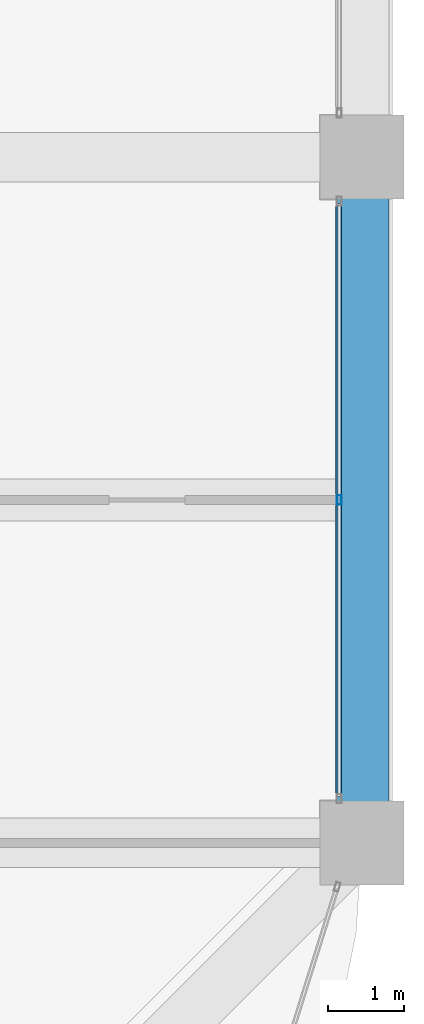
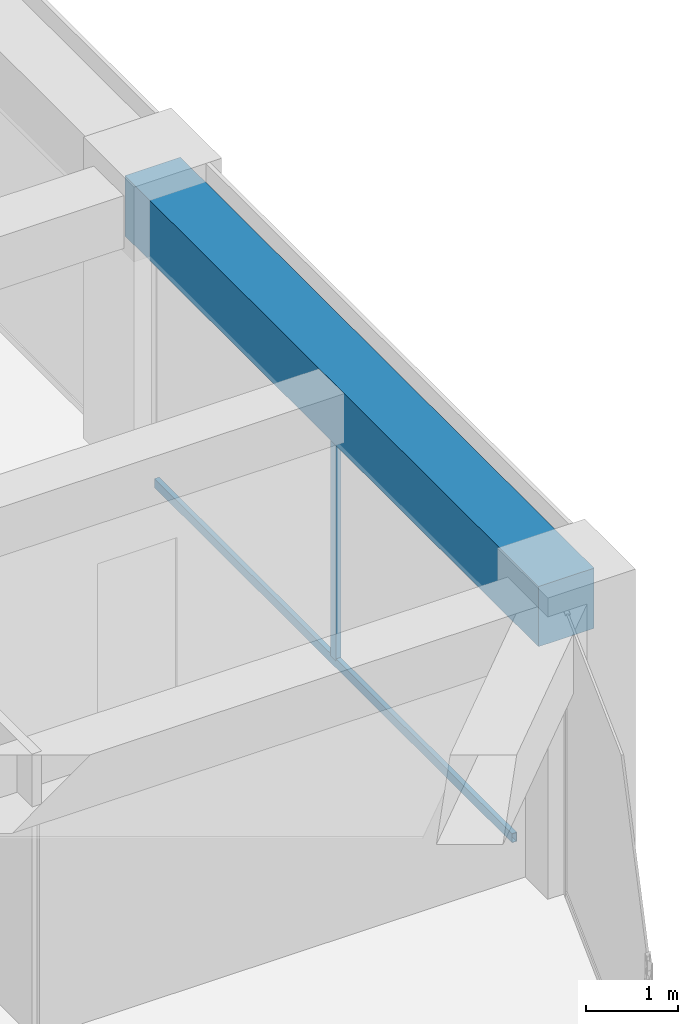
# One storey, part 23 of 45: 2 members, 1 beam, 1 element without a shape of its own.
"""IFC4 building model written with IfcOpenShell, lengths in metres."""

from ifc_helpers import new_model, si_unit, direction, frame, origin, origin_2d, place, context, subcontext, project, spatial, rectangle, hollow_rectangle, extrude, material, material_profile, profile_set, type_object, element, aggregate, save


model = new_model("IFC4")

# Units and contexts
model_context = context("Model", 3, precision=1e-05, world=origin(), true_north=direction((0.0, 1.0)))
body_context = subcontext(model_context, "Body", "Model", "MODEL_VIEW")
ifc_project = project(units=[si_unit("LENGTHUNIT", "METRE"), si_unit("AREAUNIT", "SQUARE_METRE"), si_unit("VOLUMEUNIT", "CUBIC_METRE"), si_unit("PLANEANGLEUNIT", "RADIAN"), si_unit("MASSUNIT", "GRAM", prefix="KILO")], contexts=[model_context])

# Site, building, storey
site_placement = place(None, origin())
site = spatial("IfcSite", under=ifc_project, at=site_placement, CompositionType="ELEMENT")
building_placement = place(site_placement, origin())
building = spatial("IfcBuilding", under=site, at=building_placement, Name="Zorevar Civic Tower", CompositionType="ELEMENT")
storey_placement = place(building_placement, frame((0.0, 0.0, 303.39990234375)))
storey = spatial("IfcBuildingStorey", under=building, at=storey_placement, Name="L74", CompositionType="ELEMENT", Elevation=303.39990234375)

# Curtain wall, members
ifc_material_1 = material(Name="Dark grey solar-control glass in black aluminium frame", Category="aluminium")
curtain_wall_type = type_object("IfcCurtainWallType", Name="Curtain wall CW5 top zone", PredefinedType="NOTDEFINED", material=ifc_material_1)
curtain_wall_placement = place(storey_placement, origin())
curtain_wall = element("IfcCurtainWall", 1, at=curtain_wall_placement, inside=storey, type_object=curtain_wall_type, Name="CW5 L74", PredefinedType="NOTDEFINED")
ifc_material_2 = material(Name="Aluminium, black anodised", Category="aluminium")
ifc_material_profile_1 = material_profile(ifc_material_2, hollow_rectangle(XDim=0.06005859375, YDim=0.1201171875, WallThickness=0.0029296875, at=origin_2d()), Name="AL 120x60x3")
ifc_profile_set_1 = profile_set([ifc_material_profile_1], Name="Aluminium, black anodised")
member_type_1 = type_object("IfcMemberType", Name="CW5 mullion AL 120x60x3", PredefinedType="MULLION", material=ifc_profile_set_1)
member_1_placement = place(storey_placement, frame((53.699951171875, 13.5, 0.06005859375), z_axis=(0.0, 0.0, 1.0), x_axis=(-1.0, 0.0, 0.0)))
member_1 = element("IfcMember", 2, at=member_1_placement, type_object=member_type_1, Name="CW5 mullion 2", PredefinedType="MULLION", context=body_context, shape_type="SweptSolid", body=[
    extrude(hollow_rectangle(XDim=0.06005859375, YDim=0.1201171875, WallThickness=0.0029296875, at=origin_2d()), origin(), (0.0, 0.0, 1.0), 2.89013671875),
])
ifc_material_3 = material(Name="Aluminium, black anodised", Category="aluminium")
ifc_material_profile_2 = material_profile(ifc_material_3, hollow_rectangle(XDim=0.06005859375, YDim=0.1201171875, WallThickness=0.0029296875, at=origin_2d()), Name="AL 120x60x3")
ifc_profile_set_2 = profile_set([ifc_material_profile_2], Name="Aluminium, black anodised")
member_type_2 = type_object("IfcMemberType", Name="CW5 transom AL 120x60x3", PredefinedType="USERDEFINED", material=ifc_profile_set_2)
member_2_placement = place(storey_placement, frame((53.699951171875, 9.610107421875, 0.030029296875), z_axis=(0.0, 1.0, 0.0), x_axis=(-1.0, 0.0, 0.0)))
member_2 = element("IfcMember", 3, at=member_2_placement, type_object=member_type_2, Name="CW5 sill transom", ObjectType="TRANSOM", PredefinedType="USERDEFINED", context=body_context, shape_type="SweptSolid", body=[
    extrude(hollow_rectangle(XDim=0.06005859375, YDim=0.1201171875, WallThickness=0.0029296875, at=origin_2d()), origin(), (0.0, 0.0, 1.0), 7.77978515625),
])
aggregate(curtain_wall, [member_1, member_2])

# Beam
ifc_material_4 = material(Name="Concrete C50/60", Category="concrete")
ifc_material_profile_3 = material_profile(ifc_material_4, rectangle(XDim=0.699951171875, YDim=0.800048828125, at=origin_2d()), Name="RC 700x800")
ifc_profile_set_3 = profile_set([ifc_material_profile_3], Name="Concrete C50/60")
beam_type = type_object("IfcBeamType", Name="Edge beam RC 700x800", PredefinedType="SPANDREL", material=ifc_profile_set_3)
beam_placement = place(storey_placement, frame((54.0, 9.0, 3.35009765625), z_axis=(0.0, 1.0, 0.0), x_axis=(-1.0, 0.0, 0.0)))
element("IfcBeam", 4, at=beam_placement, inside=storey, type_object=beam_type, Name="Edge beam L75", PredefinedType="SPANDREL", context=body_context, shape_type="SweptSolid", body=[
    extrude(rectangle(XDim=0.699951171875, YDim=0.800048828125, at=origin_2d()), origin(), (0.0, 0.0, 1.0), 9.0),
])

save(model, "model.ifc")
